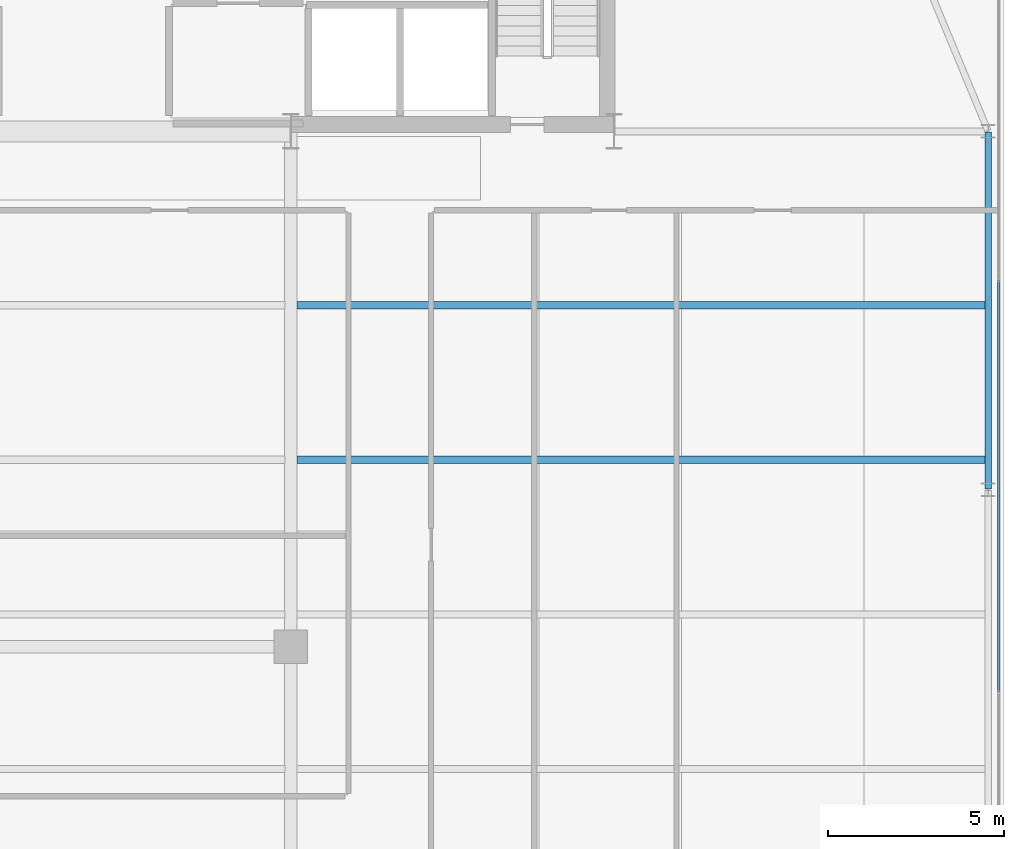
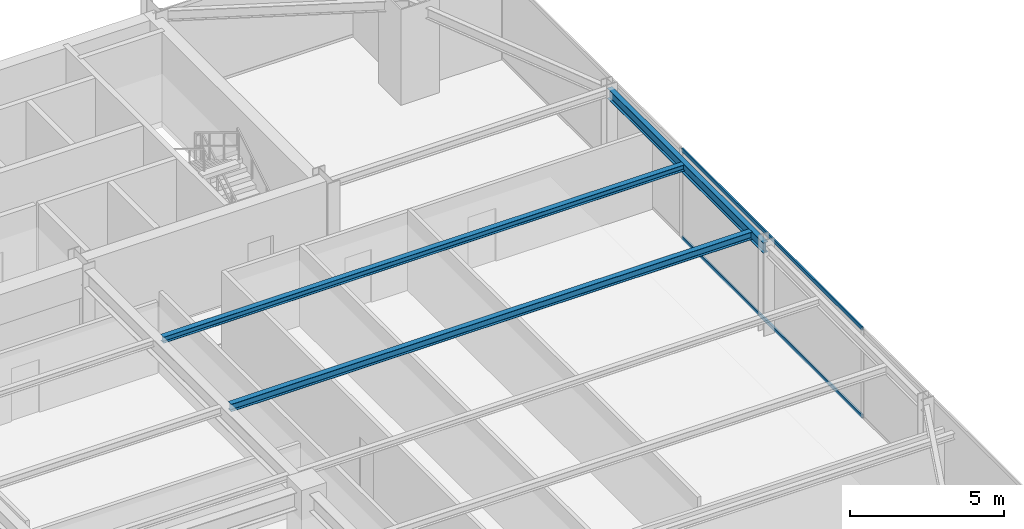
# One storey, part 19 of 32: 3 beams, 2 members, 1 element without a shape of its own.
"""IFC4 building model written with IfcOpenShell, lengths in metres."""

from ifc_helpers import new_model, si_unit, direction, frame, origin, origin_2d, place, context, subcontext, project, spatial, hollow_rectangle, i_section, extrude, source, transform, mapped, material, layer, layer_set, material_profile, profile_set, type_object, type_shapes, element, aggregate, save


model = new_model("IFC4")

# Units and contexts
model_context = context("Model", 3, precision=1e-05, world=origin(), true_north=direction((0.0, 1.0)))
body_context = subcontext(model_context, "Body", "Model", "MODEL_VIEW")
ifc_project = project(units=[si_unit("LENGTHUNIT", "METRE"), si_unit("AREAUNIT", "SQUARE_METRE"), si_unit("VOLUMEUNIT", "CUBIC_METRE"), si_unit("PLANEANGLEUNIT", "RADIAN"), si_unit("MASSUNIT", "GRAM", prefix="KILO")], contexts=[model_context])

# Site, building, storey
site_placement = place(None, origin())
site = spatial("IfcSite", under=ifc_project, at=site_placement, CompositionType="ELEMENT")
building_placement = place(site_placement, origin())
building = spatial("IfcBuilding", under=site, at=building_placement, Name="Varnel Quay Broadcast Tower", CompositionType="ELEMENT")
storey_placement = place(building_placement, frame((0.0, 0.0, 133.39990234375)))
storey = spatial("IfcBuildingStorey", under=building, at=storey_placement, Name="L32", CompositionType="ELEMENT", Elevation=133.39990234375)

# Beams
ifc_material_1 = material(Name="Structural Steel CSA G40.21 350W", Category="steel")
ifc_material_profile_1 = material_profile(ifc_material_1, i_section(OverallWidth=0.180908203125, OverallDepth=0.4169921875, WebThickness=0.010986328125, FlangeThickness=0.018310546875, FilletRadius=0.011962890625, at=origin_2d()), Name="W410X85")
ifc_profile_set_1 = profile_set([ifc_material_profile_1], Name="Structural Steel CSA G40.21 350W")
beam_type_1 = type_object("IfcBeamType", Name="Beam_W410X85", PredefinedType="SPANDREL", material=ifc_profile_set_1)
shared_shape_1 = source(origin(), body_context, "Body", "SweptSolid", [
    extrude(i_section(OverallWidth=0.180908203125, OverallDepth=0.4169921875, WebThickness=0.010986328125, FlangeThickness=0.018310546875, FilletRadius=0.011962890625, at=origin_2d()), origin(), (0.0, 0.0, 1.0), 10.16015625),
])
type_shapes(beam_type_1, [shared_shape_1])
beam_1_placement = place(storey_placement, frame((63.050048828125, 25.419921875, 3.341552734375), z_axis=(0.0, 1.0, 0.0), x_axis=(-1.0, 0.0, 0.0)))
element("IfcBeam", 1, at=beam_1_placement, inside=storey, type_object=beam_type_1, Name="L32 East Spandrel TC-E2-TC-E3", PredefinedType="SPANDREL", context=body_context, shape_type="MappedRepresentation", body=[
    mapped(shared_shape_1, transform((0.0, 0.0, 0.0), x_axis=(1.0, 0.0, 0.0), y_axis=(0.0, 1.0, 0.0), z_axis=(0.0, 0.0, 1.0), scale=1.0)),
])
ifc_material_profile_2 = material_profile(ifc_material_1, i_section(OverallWidth=0.202880859375, OverallDepth=0.302978515625, WebThickness=0.007568359375, FlangeThickness=0.01318359375, FilletRadius=0.011962890625, at=origin_2d()), Name="W310X60")
ifc_profile_set_2 = profile_set([ifc_material_profile_2], Name="Structural Steel CSA G40.21 350W")
beam_type_2 = type_object("IfcBeamType", Name="Beam_W310X60", PredefinedType="JOIST", material=ifc_profile_set_2)
shared_shape_2 = source(origin(), body_context, "Body", "SweptSolid", [
    extrude(i_section(OverallWidth=0.202880859375, OverallDepth=0.302978515625, WebThickness=0.007568359375, FlangeThickness=0.01318359375, FilletRadius=0.011962890625, at=origin_2d()), origin(), (0.0, 0.0, 1.0), 19.592041015625),
])
type_shapes(beam_type_2, [shared_shape_2])
beam_2_placement = place(storey_placement, frame((43.37255859375, 26.25, 3.398681640625), z_axis=(1.0, 0.0, 0.0), x_axis=(0.0, 1.0, 0.0)))
element("IfcBeam", 2, at=beam_2_placement, inside=storey, type_object=beam_type_2, Name="L32 East Floor Joist 5", PredefinedType="JOIST", context=body_context, shape_type="MappedRepresentation", body=[
    mapped(shared_shape_2, transform((0.0, 0.0, 0.0), x_axis=(1.0, 0.0, 0.0), y_axis=(0.0, 1.0, 0.0), z_axis=(0.0, 0.0, 1.0), scale=1.0)),
])
ifc_material_profile_3 = material_profile(ifc_material_1, i_section(OverallWidth=0.201904296875, OverallDepth=0.2470703125, WebThickness=0.00732421875, FlangeThickness=0.010986328125, FilletRadius=0.010986328125, at=origin_2d()), Name="W250X49")
ifc_profile_set_3 = profile_set([ifc_material_profile_3], Name="Structural Steel CSA G40.21 350W")
beam_type_3 = type_object("IfcBeamType", Name="Beam_W250X49", PredefinedType="JOIST", material=ifc_profile_set_3)
shared_shape_3 = source(origin(), body_context, "Body", "SweptSolid", [
    extrude(i_section(OverallWidth=0.201904296875, OverallDepth=0.2470703125, WebThickness=0.00732421875, FlangeThickness=0.010986328125, FilletRadius=0.010986328125, at=origin_2d()), origin(), (0.0, 0.0, 1.0), 19.592041015625),
])
type_shapes(beam_type_3, [shared_shape_3])
beam_3_placement = place(storey_placement, frame((43.37255859375, 30.64990234375, 3.426513671875), z_axis=(1.0, 0.0, 0.0), x_axis=(0.0, 1.0, 0.0)))
element("IfcBeam", 3, at=beam_3_placement, inside=storey, type_object=beam_type_3, Name="L32 East Floor Joist 6", PredefinedType="JOIST", context=body_context, shape_type="MappedRepresentation", body=[
    mapped(shared_shape_3, transform((0.0, 0.0, 0.0), x_axis=(1.0, 0.0, 0.0), y_axis=(0.0, 1.0, 0.0), z_axis=(0.0, 0.0, 1.0), scale=1.0)),
])

# Curtain wall, members
ifc_material_2 = material(Name="Anodised Bronze Aluminium 6063-T6", Category="aluminium")
ifc_layer = layer(ifc_material_2, 0.18994140625, Name="Anodised Bronze Aluminium 6063-T6")
ifc_layer_set = layer_set([ifc_layer], Name="Anodised Bronze Aluminium 6063-T6")
curtain_wall_type = type_object("IfcCurtainWallType", Name="CW_LowerTower", PredefinedType="NOTDEFINED", material=ifc_layer_set)
curtain_wall_placement = place(storey_placement, origin())
curtain_wall = element("IfcCurtainWall", 4, at=curtain_wall_placement, inside=storey, type_object=curtain_wall_type, Name="L32 East Unitised Curtain Wall", PredefinedType="NOTDEFINED")
ifc_material_profile_4 = material_profile(ifc_material_2, hollow_rectangle(XDim=0.06005859375, YDim=0.14501953125, WallThickness=0.00341796875, at=origin_2d()), Name="ALU60X145X3.5")
ifc_profile_set_4 = profile_set([ifc_material_profile_4], Name="Anodised Bronze Aluminium 6063-T6")
member_type = type_object("IfcMemberType", Name="Tran_CWS-02", PredefinedType="USERDEFINED", material=ifc_profile_set_4)
shared_shape_4 = source(origin(), body_context, "Body", "SweptSolid", [
    extrude(hollow_rectangle(XDim=0.06005859375, YDim=0.14501953125, WallThickness=0.00341796875, at=origin_2d()), origin(), (0.0, 0.0, 1.0), 11.72998046875),
])
type_shapes(member_type, [shared_shape_4])
member_1_placement = place(storey_placement, frame((63.35009765625, 19.635009765625, 0.030029296875), z_axis=(0.0, 1.0, 0.0), x_axis=(-1.0, 0.0, 0.0)))
member_1 = element("IfcMember", 5, at=member_1_placement, type_object=member_type, Name="CWS-02 transom 2.1", ObjectType="TRANSOM", PredefinedType="USERDEFINED", context=body_context, shape_type="MappedRepresentation", body=[
    mapped(shared_shape_4, transform((0.0, 0.0, 0.0), x_axis=(1.0, 0.0, 0.0), y_axis=(0.0, 1.0, 0.0), z_axis=(0.0, 0.0, 1.0), scale=1.0)),
])
member_2_placement = place(storey_placement, frame((63.35009765625, 19.635009765625, 3.52001953125), z_axis=(0.0, 1.0, 0.0), x_axis=(-1.0, 0.0, 0.0)))
member_2 = element("IfcMember", 6, at=member_2_placement, type_object=member_type, Name="CWS-02 transom 2.2", ObjectType="TRANSOM", PredefinedType="USERDEFINED", context=body_context, shape_type="MappedRepresentation", body=[
    mapped(shared_shape_4, transform((0.0, 0.0, 0.0), x_axis=(1.0, 0.0, 0.0), y_axis=(0.0, 1.0, 0.0), z_axis=(0.0, 0.0, 1.0), scale=1.0)),
])
aggregate(curtain_wall, [member_1, member_2])

save(model, "model.ifc")
